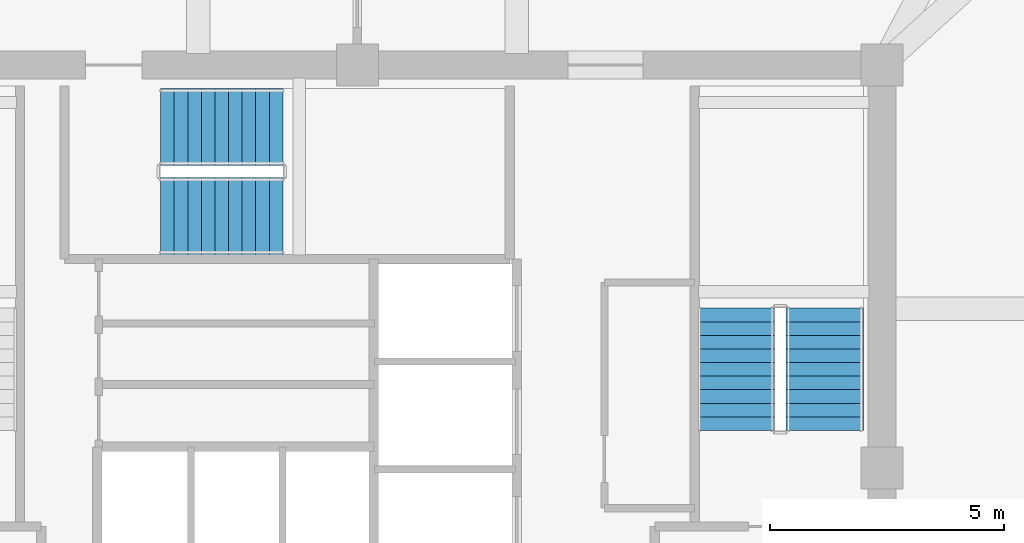
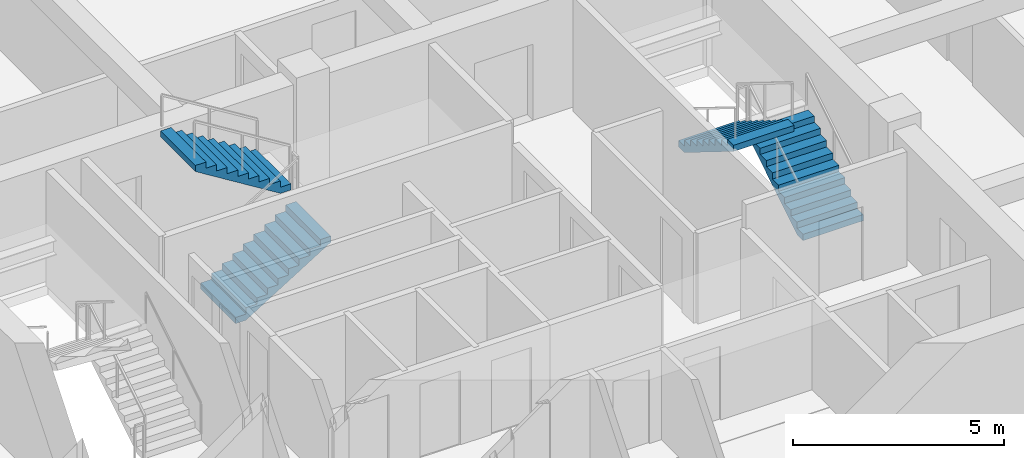
# One storey, part 12 of 14: 4 stair flights, 2 elements without a shape of their own.
"""IFC4 building model written with IfcOpenShell, lengths in metres."""

from ifc_helpers import new_model, si_unit, derived_unit, direction, frame, origin, place, context, subcontext, project, spatial, polyline, outline, extrude, material, type_object, element, aggregate, save


model = new_model("IFC4")

# Units and contexts
model_context = context("Model", 3, precision=1e-05, world=origin(), true_north=direction((0.0, 1.0)))
body_context = subcontext(model_context, "Body", "Model", "MODEL_VIEW")
ifc_project = project(units=[si_unit("LENGTHUNIT", "METRE"), si_unit("AREAUNIT", "SQUARE_METRE"), si_unit("VOLUMEUNIT", "CUBIC_METRE"), si_unit("PLANEANGLEUNIT", "RADIAN"), si_unit("MASSUNIT", "GRAM", prefix="KILO"), derived_unit("THERMALTRANSMITTANCEUNIT", [(si_unit("POWERUNIT", "WATT"), 1), (si_unit("LENGTHUNIT", "METRE"), -2), (si_unit("THERMODYNAMICTEMPERATUREUNIT", "KELVIN"), -1)])], contexts=[model_context])

# Site, building, storey
site_placement = place(None, origin())
site = spatial("IfcSite", under=ifc_project, at=site_placement, CompositionType="ELEMENT")
building_placement = place(site_placement, origin())
building = spatial("IfcBuilding", under=site, at=building_placement, Name="Koralith Skygarden Medical Center", CompositionType="ELEMENT")
storey_placement = place(building_placement, frame((0.0, 0.0, 246.419921875)))
storey = spatial("IfcBuildingStorey", under=building, at=storey_placement, Name="L63", CompositionType="ELEMENT", Elevation=246.419921875)

# Stair, stair flights
ifc_material = material(Name="Concrete C45/55", Category="concrete")
stair_type = type_object("IfcStairType", Name="Core Exit Dogleg Concrete Stair", PredefinedType="HALF_TURN_STAIR", material=ifc_material)
stair_1_placement = place(storey_placement, origin())
stair_1 = element("IfcStair", 1, at=stair_1_placement, inside=storey, type_object=stair_type, Name="L63 Smokeproof Exit Stair ST2", PredefinedType="HALF_TURN_STAIR")
stair_flight_type = type_object("IfcStairFlightType", Name="Core Exit Concrete Stair Flight 1650", PredefinedType="STRAIGHT", material=ifc_material)
stair_flight_1_placement = place(storey_placement, frame((46.97509765625, 26.699951171875, 0.0), z_axis=(0.0, 0.0, 1.0), x_axis=(0.0, 1.0, 0.0)))
stair_flight_1 = element("IfcStairFlight", 2, at=stair_flight_1_placement, type_object=stair_flight_type, Name="ST2 flight 1", NumberOfRisers=10, NumberOfTreads=9, PredefinedType="STRAIGHT", RiserHeight=0.18, TreadLength=0.29, context=body_context, shape_type="SweptSolid", body=[
    extrude(outline(polyline([(0.0, 0.0), (0.0, 0.179931640625), (0.2900390625, 0.179931640625), (0.2900390625, 0.360107421875), (0.580078125, 0.360107421875), (0.580078125, 0.5400390625), (0.8701171875, 0.5400390625), (0.8701171875, 0.719970703125), (1.159912109375, 0.719970703125), (1.159912109375, 0.89990234375), (1.449951171875, 0.89990234375), (1.449951171875, 1.080078125), (1.739990234375, 1.080078125), (1.739990234375, 1.260009765625), (2.030029296875, 1.260009765625), (2.030029296875, 1.43994140625), (2.320068359375, 1.43994140625), (2.320068359375, 1.6201171875), (2.610107421875, 1.6201171875), (2.610107421875, 1.800048828125), (2.610107421875, 1.443603515625), (0.2841796875, 0.0), (0.0, 0.0)])), frame((0.0, 0.824951171875, 0.0), z_axis=(0.0, -1.0, 0.0), x_axis=(1.0, 0.0, 0.0)), (0.0, 0.0, 1.0), 1.64990234375),
])
stair_flight_2_placement = place(storey_placement, frame((45.074951171875, 29.31005859375, 1.800048828125), z_axis=(0.0, 0.0, 1.0), x_axis=(0.0, -1.0, 0.0)))
stair_flight_2 = element("IfcStairFlight", 3, at=stair_flight_2_placement, type_object=stair_flight_type, Name="ST2 flight 2", NumberOfRisers=10, NumberOfTreads=9, PredefinedType="STRAIGHT", RiserHeight=0.18, TreadLength=0.29, context=body_context, shape_type="SweptSolid", body=[
    extrude(outline(polyline([(0.0, 0.0), (0.0, 0.179931640625), (0.2900390625, 0.179931640625), (0.2900390625, 0.360107421875), (0.580078125, 0.360107421875), (0.580078125, 0.5400390625), (0.8701171875, 0.5400390625), (0.8701171875, 0.719970703125), (1.159912109375, 0.719970703125), (1.159912109375, 0.89990234375), (1.449951171875, 0.89990234375), (1.449951171875, 1.080078125), (1.739990234375, 1.080078125), (1.739990234375, 1.260009765625), (2.030029296875, 1.260009765625), (2.030029296875, 1.43994140625), (2.320068359375, 1.43994140625), (2.320068359375, 1.6201171875), (2.610107421875, 1.6201171875), (2.610107421875, 1.800048828125), (2.610107421875, 1.443603515625), (0.2841796875, 0.0), (0.0, 0.0)])), frame((0.0, 0.824951171875, 0.0), z_axis=(0.0, -1.0, 0.0), x_axis=(1.0, 0.0, 0.0)), (0.0, 0.0, 1.0), 1.64990234375),
])
aggregate(stair_1, [stair_flight_1, stair_flight_2])

stair_2_placement = place(storey_placement, origin())
stair_2 = element("IfcStair", 4, at=stair_2_placement, inside=storey, type_object=stair_type, Name="L63 Smokeproof Exit Stair ST3", PredefinedType="HALF_TURN_STAIR")
stair_flight_3_placement = place(storey_placement, frame((32.800048828125, 31.27490234375, 0.0), z_axis=(0.0, 0.0, 1.0), x_axis=(1.0, 0.0, 0.0)))
stair_flight_3 = element("IfcStairFlight", 5, at=stair_flight_3_placement, type_object=stair_flight_type, Name="ST3 flight 1", NumberOfRisers=10, NumberOfTreads=9, PredefinedType="STRAIGHT", RiserHeight=0.18, TreadLength=0.29, context=body_context, shape_type="SweptSolid", body=[
    extrude(outline(polyline([(0.0, 0.0), (0.0, 0.179931640625), (0.2900390625, 0.179931640625), (0.2900390625, 0.360107421875), (0.580078125, 0.360107421875), (0.580078125, 0.5400390625), (0.8701171875, 0.5400390625), (0.8701171875, 0.719970703125), (1.159912109375, 0.719970703125), (1.159912109375, 0.89990234375), (1.449951171875, 0.89990234375), (1.449951171875, 1.080078125), (1.739990234375, 1.080078125), (1.739990234375, 1.260009765625), (2.030029296875, 1.260009765625), (2.030029296875, 1.43994140625), (2.320068359375, 1.43994140625), (2.320068359375, 1.6201171875), (2.610107421875, 1.6201171875), (2.610107421875, 1.800048828125), (2.610107421875, 1.443603515625), (0.2841796875, 0.0), (0.0, 0.0)])), frame((0.0, 0.824951171875, 0.0), z_axis=(0.0, -1.0, 0.0), x_axis=(1.0, 0.0, 0.0)), (0.0, 0.0, 1.0), 1.64990234375),
])
stair_flight_4_placement = place(storey_placement, frame((35.409912109375, 33.175048828125, 1.800048828125), z_axis=(0.0, 0.0, 1.0), x_axis=(-1.0, 0.0, 0.0)))
stair_flight_4 = element("IfcStairFlight", 6, at=stair_flight_4_placement, type_object=stair_flight_type, Name="ST3 flight 2", NumberOfRisers=10, NumberOfTreads=9, PredefinedType="STRAIGHT", RiserHeight=0.18, TreadLength=0.29, context=body_context, shape_type="SweptSolid", body=[
    extrude(outline(polyline([(0.0, 0.0), (0.0, 0.179931640625), (0.2900390625, 0.179931640625), (0.2900390625, 0.360107421875), (0.580078125, 0.360107421875), (0.580078125, 0.5400390625), (0.8701171875, 0.5400390625), (0.8701171875, 0.719970703125), (1.159912109375, 0.719970703125), (1.159912109375, 0.89990234375), (1.449951171875, 0.89990234375), (1.449951171875, 1.080078125), (1.739990234375, 1.080078125), (1.739990234375, 1.260009765625), (2.030029296875, 1.260009765625), (2.030029296875, 1.43994140625), (2.320068359375, 1.43994140625), (2.320068359375, 1.6201171875), (2.610107421875, 1.6201171875), (2.610107421875, 1.800048828125), (2.610107421875, 1.443603515625), (0.2841796875, 0.0), (0.0, 0.0)])), frame((0.0, 0.824951171875, 0.0), z_axis=(0.0, -1.0, 0.0), x_axis=(1.0, 0.0, 0.0)), (0.0, 0.0, 1.0), 1.64990234375),
])
aggregate(stair_2, [stair_flight_3, stair_flight_4])

save(model, "model.ifc")
